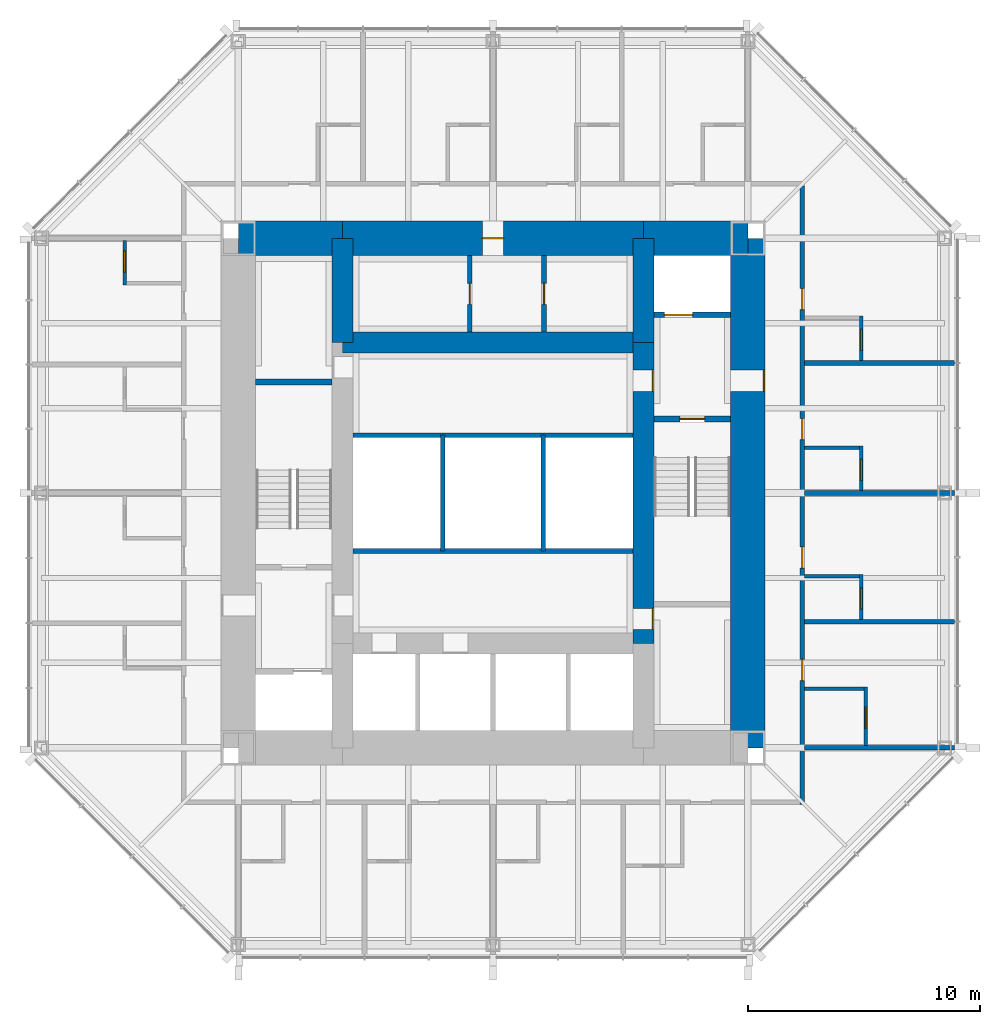
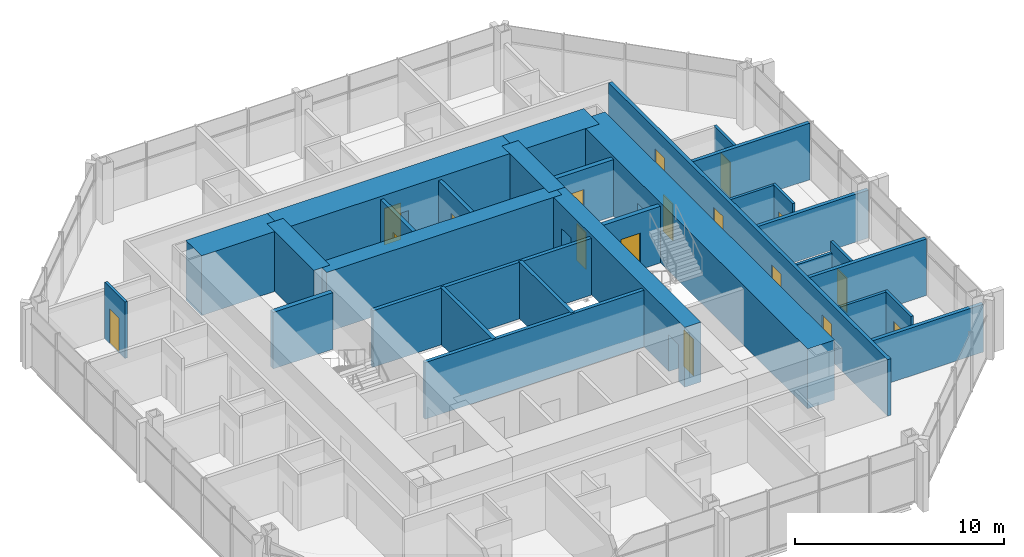
# One storey, part 9 of 12: 30 walls, 17 doors, 17 openings.
"""IFC4 building model written with IfcOpenShell, lengths in metres."""

from ifc_helpers import new_model, si_unit, direction, frame, frame_2d, origin, place, context, subcontext, project, spatial, rectangle, extrude, material, layer, layer_set, type_object, element, fill, save


model = new_model("IFC4")

# Units and contexts
model_context = context("Model", 3, precision=1e-05, world=origin(), true_north=direction((0.0, 1.0)))
body_context = subcontext(model_context, "Body", "Model", "MODEL_VIEW")
ifc_project = project(units=[si_unit("LENGTHUNIT", "METRE"), si_unit("AREAUNIT", "SQUARE_METRE"), si_unit("VOLUMEUNIT", "CUBIC_METRE"), si_unit("PLANEANGLEUNIT", "RADIAN"), si_unit("MASSUNIT", "GRAM", prefix="KILO")], contexts=[model_context])

# Site, building, storey
site_placement = place(None, origin())
site = spatial("IfcSite", under=ifc_project, at=site_placement, CompositionType="ELEMENT")
building_placement = place(site_placement, origin())
building = spatial("IfcBuilding", under=site, at=building_placement, Name="Trevanion Tower", CompositionType="ELEMENT")
storey_placement = place(building_placement, frame((0.0, 0.0, 190.699951171875)))
storey = spatial("IfcBuildingStorey", under=building, at=storey_placement, Name="L44", CompositionType="ELEMENT", Elevation=190.699951171875)

# Wall, opening, door
ifc_material_1 = material(Name="Concrete 10,000 psi", Category="concrete")
ifc_layer_1 = layer(ifc_material_1, 1.5)
ifc_layer_set_1 = layer_set([ifc_layer_1], Name="CW1 core wall 1500")
wall_type_1 = type_object("IfcWallType", Name="CW1 core wall 1500", PredefinedType="SHEAR", material=ifc_layer_set_1)
wall_1_placement = place(storey_placement, frame((11.0, -11.0, 0.0), z_axis=(0.0, 0.0, 1.0), x_axis=(0.0, 1.0, 0.0)))
wall_1 = element("IfcWall", 1, at=wall_1_placement, inside=storey, type_object=wall_type_1, Name="CW1 CE L44", PredefinedType="SHEAR", context=body_context, shape_type="SweptSolid", body=[
    extrude(rectangle(XDim=22.0, YDim=1.5, at=frame_2d((11.0, 0.0))), origin(), (0.0, 0.0, 1.0), 3.5),
])
opening_1_placement = place(wall_1_placement, frame((15.392578125, 0.0, 0.0)))
opening_1 = element("IfcOpeningElement", 2, at=opening_1_placement, cuts=wall_1, Name="Opening 44-001", PredefinedType="OPENING", context=body_context, shape_type="SweptSolid", body=[
    extrude(rectangle(XDim=0.9150390625, YDim=2.134033203125, at=frame_2d((0.45751953125, 1.06689453125))), frame((0.0, 0.760009765625, 0.0), z_axis=(0.0, -1.0, 0.0), x_axis=(1.0, 0.0, 0.0)), (0.0, 0.0, 1.0), 1.52001953125),
])
ifc_material_2 = material(Name="Hollow metal, fire rated", Category="steel")
door_type_1 = type_object("IfcDoorType", Name="D3 fire lift lobby door", OperationType="SINGLE_SWING_RIGHT", PredefinedType="DOOR", material=ifc_material_2)
door_1_placement = place(opening_1_placement, origin())
door_1 = element("IfcDoor", 3, at=door_1_placement, inside=storey, type_object=door_type_1, Name="Door 44-001", OperationType="SINGLE_SWING_RIGHT", OverallHeight=2.134033203125, OverallWidth=0.9150390625, PredefinedType="DOOR", context=body_context, shape_type="SweptSolid", body=[
    extrude(rectangle(XDim=0.9150390625, YDim=2.134033203125, at=frame_2d((0.45751953125, 1.06689453125))), frame((0.0, -0.6748046875, 0.0), z_axis=(0.0, -1.0, 0.0), x_axis=(1.0, 0.0, 0.0)), (0.0, 0.0, 1.0), 0.050048828125),
])
fill(opening_1, door_1)

# Wall
wall_2_placement = place(storey_placement, frame((11.0, 11.0, 0.0), z_axis=(0.0, 0.0, 1.0), x_axis=(-1.0, 0.0, 0.0)))
element("IfcWall", 4, at=wall_2_placement, inside=storey, type_object=wall_type_1, Name="CW1 CN1 L44", PredefinedType="SHEAR", context=body_context, shape_type="SweptSolid", body=[
    extrude(rectangle(XDim=4.5, YDim=1.5, at=frame_2d((2.25, 0.0))), origin(), (0.0, 0.0, 1.0), 3.5),
])

# Wall, opening, door
wall_3_placement = place(storey_placement, frame((6.5, 11.0, 0.0), z_axis=(0.0, 0.0, 1.0), x_axis=(-1.0, 0.0, 0.0)))
wall_3 = element("IfcWall", 5, at=wall_3_placement, inside=storey, type_object=wall_type_1, Name="CW1 CN2 L44", PredefinedType="SHEAR", context=body_context, shape_type="SweptSolid", body=[
    extrude(rectangle(XDim=13.0, YDim=1.5, at=frame_2d((6.5, 0.0))), origin(), (0.0, 0.0, 1.0), 3.5),
])
opening_2_placement = place(wall_3_placement, frame((6.04248046875, 0.0, 0.0)))
opening_2 = element("IfcOpeningElement", 6, at=opening_2_placement, cuts=wall_3, Name="Opening 44-013", PredefinedType="OPENING", context=body_context, shape_type="SweptSolid", body=[
    extrude(rectangle(XDim=0.9150390625, YDim=2.134033203125, at=frame_2d((0.45751953125, 1.06689453125))), frame((0.0, 0.760009765625, 0.0), z_axis=(0.0, -1.0, 0.0), x_axis=(1.0, 0.0, 0.0)), (0.0, 0.0, 1.0), 1.52001953125),
])
ifc_material_3 = material(Name="Hollow metal, fire rated", Category="steel")
door_type_2 = type_object("IfcDoorType", Name="D5 service room door", OperationType="SINGLE_SWING_RIGHT", PredefinedType="DOOR", material=ifc_material_3)
door_2_placement = place(opening_2_placement, origin())
door_2 = element("IfcDoor", 7, at=door_2_placement, inside=storey, type_object=door_type_2, Name="Door 44-013", OperationType="SINGLE_SWING_RIGHT", OverallHeight=2.134033203125, OverallWidth=0.9150390625, PredefinedType="DOOR", context=body_context, shape_type="SweptSolid", body=[
    extrude(rectangle(XDim=0.9150390625, YDim=2.134033203125, at=frame_2d((0.45751953125, 1.06689453125))), frame((0.0, 0.02490234375, 0.0), z_axis=(0.0, -1.0, 0.0), x_axis=(1.0, 0.0, 0.0)), (0.0, 0.0, 1.0), 0.050048828125),
])
fill(opening_2, door_2)

# Wall
wall_4_placement = place(storey_placement, frame((-6.5, 11.0, 0.0), z_axis=(0.0, 0.0, 1.0), x_axis=(-1.0, 0.0, 0.0)))
element("IfcWall", 8, at=wall_4_placement, inside=storey, type_object=wall_type_1, Name="CW1 CN3 L44", PredefinedType="SHEAR", context=body_context, shape_type="SweptSolid", body=[
    extrude(rectangle(XDim=4.5, YDim=1.5, at=frame_2d((2.25, 0.0))), origin(), (0.0, 0.0, 1.0), 3.5),
])

# Wall, openings, doors
ifc_material_4 = material(Name="Concrete 10,000 psi", Category="concrete")
ifc_layer_2 = layer(ifc_material_4, 0.89990234375)
ifc_layer_set_2 = layer_set([ifc_layer_2], Name="CW2 core wall 900")
wall_type_2 = type_object("IfcWallType", Name="CW2 core wall 900", PredefinedType="SHEAR", material=ifc_layer_set_2)
wall_5_placement = place(storey_placement, frame((6.5, -6.5, 0.0), z_axis=(0.0, 0.0, 1.0), x_axis=(0.0, 1.0, 0.0)))
wall_5 = element("IfcWall", 9, at=wall_5_placement, inside=storey, type_object=wall_type_2, Name="CW2 RE2 L44", PredefinedType="SHEAR", context=body_context, shape_type="SweptSolid", body=[
    extrude(rectangle(XDim=13.0, YDim=0.89990234375, at=frame_2d((6.5, 0.0))), origin(), (0.0, 0.0, 1.0), 3.5),
])
opening_3_placement = place(wall_5_placement, frame((10.892578125, 0.0, 0.0)))
opening_3 = element("IfcOpeningElement", 10, at=opening_3_placement, cuts=wall_5, Name="Opening 44-003", PredefinedType="OPENING", context=body_context, shape_type="SweptSolid", body=[
    extrude(rectangle(XDim=0.9150390625, YDim=2.134033203125, at=frame_2d((0.45751953125, 1.06689453125))), frame((0.0, 0.4599609375, 0.0), z_axis=(0.0, -1.0, 0.0), x_axis=(1.0, 0.0, 0.0)), (0.0, 0.0, 1.0), 0.919921875),
])
opening_4_placement = place(wall_5_placement, frame((0.610107421875, 0.0, 0.0)))
opening_4 = element("IfcOpeningElement", 11, at=opening_4_placement, cuts=wall_5, Name="Opening 44-009", PredefinedType="OPENING", context=body_context, shape_type="SweptSolid", body=[
    extrude(rectangle(XDim=0.9150390625, YDim=2.134033203125, at=frame_2d((0.45751953125, 1.06689453125))), frame((0.0, 0.4599609375, 0.0), z_axis=(0.0, -1.0, 0.0), x_axis=(1.0, 0.0, 0.0)), (0.0, 0.0, 1.0), 0.919921875),
])
door_3_placement = place(opening_3_placement, origin())
door_3 = element("IfcDoor", 12, at=door_3_placement, inside=storey, type_object=door_type_1, Name="Door 44-003", OperationType="SINGLE_SWING_RIGHT", OverallHeight=2.134033203125, OverallWidth=0.9150390625, PredefinedType="DOOR", context=body_context, shape_type="SweptSolid", body=[
    extrude(rectangle(XDim=0.9150390625, YDim=2.134033203125, at=frame_2d((0.45751953125, 1.06689453125))), frame((0.0, -0.375, 0.0), z_axis=(0.0, -1.0, 0.0), x_axis=(1.0, 0.0, 0.0)), (0.0, 0.0, 1.0), 0.050048828125),
])
fill(opening_3, door_3)
door_4_placement = place(opening_4_placement, origin())
door_4 = element("IfcDoor", 13, at=door_4_placement, inside=storey, type_object=door_type_2, Name="Door 44-009", OperationType="SINGLE_SWING_RIGHT", OverallHeight=2.134033203125, OverallWidth=0.9150390625, PredefinedType="DOOR", context=body_context, shape_type="SweptSolid", body=[
    extrude(rectangle(XDim=0.9150390625, YDim=2.134033203125, at=frame_2d((0.45751953125, 1.06689453125))), frame((0.0, -0.375, 0.0), z_axis=(0.0, -1.0, 0.0), x_axis=(1.0, 0.0, 0.0)), (0.0, 0.0, 1.0), 0.050048828125),
])
fill(opening_4, door_4)

# Walls
for number, where, z_axis, x_axis, name in (
    (14, (6.5, 6.5, 0.0), (0.0, 0.0, 1.0), (0.0, 1.0, 0.0), "CW2 RE3 L44"),
    (15, (-6.5, 11.0, 0.0), (0.0, 0.0, 1.0), (0.0, -1.0, 0.0), "CW2 RW1 L44"),
):
    element("IfcWall", number, at=place(storey_placement, frame(where, z_axis=z_axis, x_axis=x_axis)), inside=storey, type_object=wall_type_2, Name=name, PredefinedType="SHEAR", context=body_context, shape_type="SweptSolid", body=[
        extrude(rectangle(XDim=4.5, YDim=0.89990234375, at=frame_2d((2.25, 0.0))), origin(), (0.0, 0.0, 1.0), 3.5),
    ])
wall_6_placement = place(storey_placement, frame((6.5, 6.5, 0.0), z_axis=(0.0, 0.0, 1.0), x_axis=(-1.0, 0.0, 0.0)))
element("IfcWall", 16, at=wall_6_placement, inside=storey, type_object=wall_type_2, Name="CW2 RN L44", PredefinedType="SHEAR", context=body_context, shape_type="SweptSolid", body=[
    extrude(rectangle(XDim=13.0, YDim=0.89990234375, at=frame_2d((6.5, 0.0))), origin(), (0.0, 0.0, 1.0), 3.5),
])

# Wall, opening, door
ifc_material_5 = material(Name="Gypsum board on steel studs", Category="steel")
ifc_layer_3 = layer(ifc_material_5, 0.14990234375)
ifc_layer_set_3 = layer_set([ifc_layer_3], Name="PT1 partition 150")
wall_type_3 = type_object("IfcWallType", Name="PT1 partition 150", PredefinedType="PARTITIONING", material=ifc_layer_set_3)
wall_7_placement = place(storey_placement, frame((16.10009765625, -10.89990234375, 0.0), z_axis=(0.0, 0.0, 1.0), x_axis=(0.0, 1.0, 0.0)))
wall_7 = element("IfcWall", 17, at=wall_7_placement, inside=storey, type_object=wall_type_3, Name="PT1 L44 BA00", PredefinedType="PARTITIONING", context=body_context, shape_type="SweptSolid", body=[
    extrude(rectangle(XDim=2.52490234375, YDim=0.14990234375, at=frame_2d((1.262451171875, 0.0))), origin(), (0.0, 0.0, 1.0), 3.31005859375),
])
opening_5_placement = place(wall_7_placement, frame((0.742431640625, 0.0, 0.0)))
opening_5 = element("IfcOpeningElement", 18, at=opening_5_placement, cuts=wall_7, Name="Opening 44-016", PredefinedType="OPENING", context=body_context, shape_type="SweptSolid", body=[
    extrude(rectangle(XDim=0.9150390625, YDim=2.031982421875, at=frame_2d((0.45751953125, 1.01611328125))), frame((0.0, 0.0849609375, 0.0), z_axis=(0.0, -1.0, 0.0), x_axis=(1.0, 0.0, 0.0)), (0.0, 0.0, 1.0), 0.169921875),
])
ifc_material_6 = material(Name="Timber veneer", Category="wood")
door_type_3 = type_object("IfcDoorType", Name="D7 bathroom door", OperationType="SINGLE_SWING_LEFT", PredefinedType="DOOR", material=ifc_material_6)
door_5_placement = place(opening_5_placement, origin())
door_5 = element("IfcDoor", 19, at=door_5_placement, inside=storey, type_object=door_type_3, Name="Door 44-016", OperationType="SINGLE_SWING_LEFT", OverallHeight=2.031982421875, OverallWidth=0.9150390625, PredefinedType="DOOR", context=body_context, shape_type="SweptSolid", body=[
    extrude(rectangle(XDim=0.9150390625, YDim=2.031982421875, at=frame_2d((0.45751953125, 1.01611328125))), frame((0.0, 0.02490234375, 0.0), z_axis=(0.0, -1.0, 0.0), x_axis=(1.0, 0.0, 0.0)), (0.0, 0.0, 1.0), 0.050048828125),
])
fill(opening_5, door_5)

# Wall
wall_8_placement = place(storey_placement, frame((13.449951171875, -8.449951171875, 0.0), z_axis=(0.0, 0.0, 1.0), x_axis=(1.0, 0.0, 0.0)))
element("IfcWall", 20, at=wall_8_placement, inside=storey, type_object=wall_type_3, Name="PT1 L44 BB00", PredefinedType="PARTITIONING", context=body_context, shape_type="SweptSolid", body=[
    extrude(rectangle(XDim=2.574951171875, YDim=0.14990234375, at=frame_2d((1.28759765625, 0.0))), origin(), (0.0, 0.0, 1.0), 3.31005859375),
])

# Wall, opening, door
wall_9_placement = place(storey_placement, frame((15.89990234375, -5.448974609375, 0.0), z_axis=(0.0, 0.0, 1.0), x_axis=(0.0, 1.0, 0.0)))
wall_9 = element("IfcWall", 21, at=wall_9_placement, inside=storey, type_object=wall_type_3, Name="PT1 L44 BA01", PredefinedType="PARTITIONING", context=body_context, shape_type="SweptSolid", body=[
    extrude(rectangle(XDim=1.925048828125, YDim=0.14990234375, at=frame_2d((0.96240234375, 0.0))), origin(), (0.0, 0.0, 1.0), 3.31005859375),
])
opening_6_placement = place(wall_9_placement, frame((0.4423828125, 0.0, 0.0)))
opening_6 = element("IfcOpeningElement", 22, at=opening_6_placement, cuts=wall_9, Name="Opening 44-018", PredefinedType="OPENING", context=body_context, shape_type="SweptSolid", body=[
    extrude(rectangle(XDim=0.9150390625, YDim=2.031982421875, at=frame_2d((0.45751953125, 1.01611328125))), frame((0.0, 0.0849609375, 0.0), z_axis=(0.0, -1.0, 0.0), x_axis=(1.0, 0.0, 0.0)), (0.0, 0.0, 1.0), 0.169921875),
])
door_6_placement = place(opening_6_placement, origin())
door_6 = element("IfcDoor", 23, at=door_6_placement, inside=storey, type_object=door_type_3, Name="Door 44-018", OperationType="SINGLE_SWING_LEFT", OverallHeight=2.031982421875, OverallWidth=0.9150390625, PredefinedType="DOOR", context=body_context, shape_type="SweptSolid", body=[
    extrude(rectangle(XDim=0.9150390625, YDim=2.031982421875, at=frame_2d((0.45751953125, 1.01611328125))), frame((0.0, 0.02490234375, 0.0), z_axis=(0.0, -1.0, 0.0), x_axis=(1.0, 0.0, 0.0)), (0.0, 0.0, 1.0), 0.050048828125),
])
fill(opening_6, door_6)

# Wall
wall_10_placement = place(storey_placement, frame((13.449951171875, -3.59912109375, 0.0), z_axis=(0.0, 0.0, 1.0), x_axis=(1.0, 0.0, 0.0)))
element("IfcWall", 24, at=wall_10_placement, inside=storey, type_object=wall_type_3, Name="PT1 L44 BB01", PredefinedType="PARTITIONING", context=body_context, shape_type="SweptSolid", body=[
    extrude(rectangle(XDim=2.375, YDim=0.14990234375, at=frame_2d((1.1875, 0.0))), origin(), (0.0, 0.0, 1.0), 2.703125),
])

# Wall, opening, door
wall_11_placement = place(storey_placement, frame((15.89990234375, 0.10009765625, 0.0), z_axis=(0.0, 0.0, 1.0), x_axis=(0.0, 1.0, 0.0)))
wall_11 = element("IfcWall", 25, at=wall_11_placement, inside=storey, type_object=wall_type_3, Name="PT1 L44 BA02", PredefinedType="PARTITIONING", context=body_context, shape_type="SweptSolid", body=[
    extrude(rectangle(XDim=1.9248046875, YDim=0.14990234375, at=frame_2d((0.96240234375, 0.0))), origin(), (0.0, 0.0, 1.0), 3.31005859375),
])
opening_7_placement = place(wall_11_placement, frame((0.4423828125, 0.0, 0.0)))
opening_7 = element("IfcOpeningElement", 26, at=opening_7_placement, cuts=wall_11, Name="Opening 44-020", PredefinedType="OPENING", context=body_context, shape_type="SweptSolid", body=[
    extrude(rectangle(XDim=0.9150390625, YDim=2.031982421875, at=frame_2d((0.45751953125, 1.01611328125))), frame((0.0, 0.0849609375, 0.0), z_axis=(0.0, -1.0, 0.0), x_axis=(1.0, 0.0, 0.0)), (0.0, 0.0, 1.0), 0.169921875),
])
door_7_placement = place(opening_7_placement, origin())
door_7 = element("IfcDoor", 27, at=door_7_placement, inside=storey, type_object=door_type_3, Name="Door 44-020", OperationType="SINGLE_SWING_LEFT", OverallHeight=2.031982421875, OverallWidth=0.9150390625, PredefinedType="DOOR", context=body_context, shape_type="SweptSolid", body=[
    extrude(rectangle(XDim=0.9150390625, YDim=2.031982421875, at=frame_2d((0.45751953125, 1.01611328125))), frame((0.0, 0.02490234375, 0.0), z_axis=(0.0, -1.0, 0.0), x_axis=(1.0, 0.0, 0.0)), (0.0, 0.0, 1.0), 0.050048828125),
])
fill(opening_7, door_7)

# Wall
wall_12_placement = place(storey_placement, frame((13.449951171875, 1.949951171875, 0.0), z_axis=(0.0, 0.0, 1.0), x_axis=(1.0, 0.0, 0.0)))
element("IfcWall", 28, at=wall_12_placement, inside=storey, type_object=wall_type_3, Name="PT1 L44 BB02", PredefinedType="PARTITIONING", context=body_context, shape_type="SweptSolid", body=[
    extrude(rectangle(XDim=2.375, YDim=0.14990234375, at=frame_2d((1.1875, 0.0))), origin(), (0.0, 0.0, 1.0), 3.31005859375),
])

# Wall, opening, door
wall_13_placement = place(storey_placement, frame((15.89990234375, 5.714111328125, 0.0), z_axis=(0.0, 0.0, 1.0), x_axis=(0.0, 1.0, 0.0)))
wall_13 = element("IfcWall", 29, at=wall_13_placement, inside=storey, type_object=wall_type_3, Name="PT1 L44 BA03", PredefinedType="PARTITIONING", context=body_context, shape_type="SweptSolid", body=[
    extrude(rectangle(XDim=1.9248046875, YDim=0.14990234375, at=frame_2d((0.96240234375, 0.0))), origin(), (0.0, 0.0, 1.0), 3.31005859375),
])
opening_8_placement = place(wall_13_placement, frame((0.4423828125, 0.0, 0.0)))
opening_8 = element("IfcOpeningElement", 30, at=opening_8_placement, cuts=wall_13, Name="Opening 44-022", PredefinedType="OPENING", context=body_context, shape_type="SweptSolid", body=[
    extrude(rectangle(XDim=0.9150390625, YDim=2.031982421875, at=frame_2d((0.45751953125, 1.01611328125))), frame((0.0, 0.0849609375, 0.0), z_axis=(0.0, -1.0, 0.0), x_axis=(1.0, 0.0, 0.0)), (0.0, 0.0, 1.0), 0.169921875),
])
door_8_placement = place(opening_8_placement, origin())
door_8 = element("IfcDoor", 31, at=door_8_placement, inside=storey, type_object=door_type_3, Name="Door 44-022", OperationType="SINGLE_SWING_LEFT", OverallHeight=2.031982421875, OverallWidth=0.9150390625, PredefinedType="DOOR", context=body_context, shape_type="SweptSolid", body=[
    extrude(rectangle(XDim=0.9150390625, YDim=2.031982421875, at=frame_2d((0.45751953125, 1.01611328125))), frame((0.0, 0.02490234375, 0.0), z_axis=(0.0, -1.0, 0.0), x_axis=(1.0, 0.0, 0.0)), (0.0, 0.0, 1.0), 0.050048828125),
])
fill(opening_8, door_8)

wall_14_placement = place(storey_placement, frame((-15.89990234375, 10.89990234375, 0.0), z_axis=(0.0, 0.0, 1.0), x_axis=(0.0, -1.0, 0.0)))
wall_14 = element("IfcWall", 32, at=wall_14_placement, inside=storey, type_object=wall_type_3, Name="PT1 L44 BA20", PredefinedType="PARTITIONING", context=body_context, shape_type="SweptSolid", body=[
    extrude(rectangle(XDim=1.9248046875, YDim=0.14990234375, at=frame_2d((0.96240234375, 0.0))), origin(), (0.0, 0.0, 1.0), 3.31005859375),
])
opening_9_placement = place(wall_14_placement, frame((0.4423828125, 0.0, 0.0)))
opening_9 = element("IfcOpeningElement", 33, at=opening_9_placement, cuts=wall_14, Name="Opening 44-032", PredefinedType="OPENING", context=body_context, shape_type="SweptSolid", body=[
    extrude(rectangle(XDim=0.9150390625, YDim=2.031982421875, at=frame_2d((0.45751953125, 1.01611328125))), frame((0.0, 0.0849609375, 0.0), z_axis=(0.0, -1.0, 0.0), x_axis=(1.0, 0.0, 0.0)), (0.0, 0.0, 1.0), 0.169921875),
])
door_9_placement = place(opening_9_placement, origin())
door_9 = element("IfcDoor", 34, at=door_9_placement, inside=storey, type_object=door_type_3, Name="Door 44-032", OperationType="SINGLE_SWING_LEFT", OverallHeight=2.031982421875, OverallWidth=0.9150390625, PredefinedType="DOOR", context=body_context, shape_type="SweptSolid", body=[
    extrude(rectangle(XDim=0.9150390625, YDim=2.031982421875, at=frame_2d((0.45751953125, 1.01611328125))), frame((0.0, 0.02490234375, 0.0), z_axis=(0.0, -1.0, 0.0), x_axis=(1.0, 0.0, 0.0)), (0.0, 0.0, 1.0), 0.050048828125),
])
fill(opening_9, door_9)

# Walls
ifc_material_7 = material(Name="Concrete masonry, grouted", Category="masonry")
ifc_layer_4 = layer(ifc_material_7, 0.199951171875)
ifc_layer_set_4 = layer_set([ifc_layer_4], Name="PT2 partition 200 1 HR")
wall_type_4 = type_object("IfcWallType", Name="PT2 partition 200 1 HR", PredefinedType="PARTITIONING", material=ifc_layer_set_4)
for number, where, z_axis, x_axis, name in (
    (35, (-6.050048828125, 2.5, 0.0), (0.0, 0.0, 1.0), (1.0, 0.0, 0.0), "PT2 L44 CP1"),
    (36, (6.050048828125, -2.5, 0.0), (0.0, 0.0, 1.0), (-1.0, 0.0, 0.0), "PT2 L44 CP2"),
):
    element("IfcWall", number, at=place(storey_placement, frame(where, z_axis=z_axis, x_axis=x_axis)), inside=storey, type_object=wall_type_4, Name=name, PredefinedType="PARTITIONING", context=body_context, shape_type="SweptSolid", body=[
        extrude(rectangle(XDim=12.10009765625, YDim=0.199951171875, at=frame_2d((6.050048828125, 0.0))), origin(), (0.0, 0.0, 1.0), 3.31005859375),
    ])

# Wall, opening, door
wall_15_placement = place(storey_placement, frame((-1.0, 6.949951171875, 0.0), z_axis=(0.0, 0.0, 1.0), x_axis=(0.0, 1.0, 0.0)))
wall_15 = element("IfcWall", 37, at=wall_15_placement, inside=storey, type_object=wall_type_4, Name="PT2 L44 HKP1", PredefinedType="PARTITIONING", context=body_context, shape_type="SweptSolid", body=[
    extrude(rectangle(XDim=3.300048828125, YDim=0.199951171875, at=frame_2d((1.64990234375, 0.0))), origin(), (0.0, 0.0, 1.0), 3.31005859375),
])
opening_10_placement = place(wall_15_placement, frame((1.1923828125, 0.0, 0.0)))
opening_10 = element("IfcOpeningElement", 38, at=opening_10_placement, cuts=wall_15, Name="Opening 44-014", PredefinedType="OPENING", context=body_context, shape_type="SweptSolid", body=[
    extrude(rectangle(XDim=0.9150390625, YDim=2.134033203125, at=frame_2d((0.45751953125, 1.06689453125))), frame((0.0, 0.10986328125, 0.0), z_axis=(0.0, -1.0, 0.0), x_axis=(1.0, 0.0, 0.0)), (0.0, 0.0, 1.0), 0.219970703125),
])
door_10_placement = place(opening_10_placement, origin())
door_10 = element("IfcDoor", 39, at=door_10_placement, inside=storey, type_object=door_type_2, Name="Door 44-014", OperationType="SINGLE_SWING_RIGHT", OverallHeight=2.134033203125, OverallWidth=0.9150390625, PredefinedType="DOOR", context=body_context, shape_type="SweptSolid", body=[
    extrude(rectangle(XDim=0.9150390625, YDim=2.134033203125, at=frame_2d((0.45751953125, 1.06689453125))), frame((0.0, 0.02490234375, 0.0), z_axis=(0.0, -1.0, 0.0), x_axis=(1.0, 0.0, 0.0)), (0.0, 0.0, 1.0), 0.050048828125),
])
fill(opening_10, door_10)

wall_16_placement = place(storey_placement, frame((2.199951171875, 6.949951171875, 0.0), z_axis=(0.0, 0.0, 1.0), x_axis=(0.0, 1.0, 0.0)))
wall_16 = element("IfcWall", 40, at=wall_16_placement, inside=storey, type_object=wall_type_4, Name="PT2 L44 HKP2", PredefinedType="PARTITIONING", context=body_context, shape_type="SweptSolid", body=[
    extrude(rectangle(XDim=3.300048828125, YDim=0.199951171875, at=frame_2d((1.64990234375, 0.0))), origin(), (0.0, 0.0, 1.0), 3.31005859375),
])
opening_11_placement = place(wall_16_placement, frame((1.1923828125, 0.0, 0.0)))
opening_11 = element("IfcOpeningElement", 41, at=opening_11_placement, cuts=wall_16, Name="Opening 44-015", PredefinedType="OPENING", context=body_context, shape_type="SweptSolid", body=[
    extrude(rectangle(XDim=0.9150390625, YDim=2.134033203125, at=frame_2d((0.45751953125, 1.06689453125))), frame((0.0, 0.10986328125, 0.0), z_axis=(0.0, -1.0, 0.0), x_axis=(1.0, 0.0, 0.0)), (0.0, 0.0, 1.0), 0.219970703125),
])
door_11_placement = place(opening_11_placement, origin())
door_11 = element("IfcDoor", 42, at=door_11_placement, inside=storey, type_object=door_type_2, Name="Door 44-015", OperationType="SINGLE_SWING_RIGHT", OverallHeight=2.134033203125, OverallWidth=0.9150390625, PredefinedType="DOOR", context=body_context, shape_type="SweptSolid", body=[
    extrude(rectangle(XDim=0.9150390625, YDim=2.134033203125, at=frame_2d((0.45751953125, 1.06689453125))), frame((0.0, 0.02490234375, 0.0), z_axis=(0.0, -1.0, 0.0), x_axis=(1.0, 0.0, 0.0)), (0.0, 0.0, 1.0), 0.050048828125),
])
fill(opening_11, door_11)

# Wall, openings, doors
wall_17_placement = place(storey_placement, frame((13.35009765625, -13.449951171875, 0.0), z_axis=(0.0, 0.0, 1.0), x_axis=(0.0, 1.0, 0.0)))
wall_17 = element("IfcWall", 43, at=wall_17_placement, inside=storey, type_object=wall_type_4, Name="PT2 L44 HC0", PredefinedType="PARTITIONING", context=body_context, shape_type="SweptSolid", body=[
    extrude(rectangle(XDim=26.699951171875, YDim=0.199951171875, at=frame_2d((13.35009765625, 0.0))), origin(), (0.0, 0.0, 1.0), 3.31005859375),
])
opening_12_placement = place(wall_17_placement, frame((5.3525390625, 0.0, 0.0)))
opening_12 = element("IfcOpeningElement", 44, at=opening_12_placement, cuts=wall_17, Name="Opening 44-017", PredefinedType="OPENING", context=body_context, shape_type="SweptSolid", body=[
    extrude(rectangle(XDim=0.9150390625, YDim=2.134033203125, at=frame_2d((0.45751953125, 1.06689453125))), frame((0.0, 0.10986328125, 0.0), z_axis=(0.0, -1.0, 0.0), x_axis=(1.0, 0.0, 0.0)), (0.0, 0.0, 1.0), 0.219970703125),
])
opening_13_placement = place(wall_17_placement, frame((10.20361328125, 0.0, 0.0)))
opening_13 = element("IfcOpeningElement", 45, at=opening_13_placement, cuts=wall_17, Name="Opening 44-019", PredefinedType="OPENING", context=body_context, shape_type="SweptSolid", body=[
    extrude(rectangle(XDim=0.9150390625, YDim=2.134033203125, at=frame_2d((0.45751953125, 1.06689453125))), frame((0.0, 0.10986328125, 0.0), z_axis=(0.0, -1.0, 0.0), x_axis=(1.0, 0.0, 0.0)), (0.0, 0.0, 1.0), 0.219970703125),
])
opening_14_placement = place(wall_17_placement, frame((15.75244140625, 0.0, 0.0)))
opening_14 = element("IfcOpeningElement", 46, at=opening_14_placement, cuts=wall_17, Name="Opening 44-021", PredefinedType="OPENING", context=body_context, shape_type="SweptSolid", body=[
    extrude(rectangle(XDim=0.9150390625, YDim=2.134033203125, at=frame_2d((0.45751953125, 1.06689453125))), frame((0.0, 0.10986328125, 0.0), z_axis=(0.0, -1.0, 0.0), x_axis=(1.0, 0.0, 0.0)), (0.0, 0.0, 1.0), 0.219970703125),
])
opening_15_placement = place(wall_17_placement, frame((21.366455078125, 0.0, 0.0)))
opening_15 = element("IfcOpeningElement", 47, at=opening_15_placement, cuts=wall_17, Name="Opening 44-023", PredefinedType="OPENING", context=body_context, shape_type="SweptSolid", body=[
    extrude(rectangle(XDim=0.9150390625, YDim=2.134033203125, at=frame_2d((0.45751953125, 1.06689453125))), frame((0.0, 0.10986328125, 0.0), z_axis=(0.0, -1.0, 0.0), x_axis=(1.0, 0.0, 0.0)), (0.0, 0.0, 1.0), 0.219970703125),
])
ifc_material_8 = material(Name="Timber veneer, fire rated", Category="wood")
door_type_4 = type_object("IfcDoorType", Name="D6 guest room entrance door", OperationType="SINGLE_SWING_LEFT", PredefinedType="DOOR", material=ifc_material_8)
door_12_placement = place(opening_12_placement, origin())
door_12 = element("IfcDoor", 48, at=door_12_placement, inside=storey, type_object=door_type_4, Name="Door 44-017", OperationType="SINGLE_SWING_LEFT", OverallHeight=2.134033203125, OverallWidth=0.9150390625, PredefinedType="DOOR", context=body_context, shape_type="SweptSolid", body=[
    extrude(rectangle(XDim=0.9150390625, YDim=2.134033203125, at=frame_2d((0.45751953125, 1.06689453125))), frame((0.0, 0.02490234375, 0.0), z_axis=(0.0, -1.0, 0.0), x_axis=(1.0, 0.0, 0.0)), (0.0, 0.0, 1.0), 0.050048828125),
])
fill(opening_12, door_12)
door_13_placement = place(opening_13_placement, origin())
door_13 = element("IfcDoor", 49, at=door_13_placement, inside=storey, type_object=door_type_4, Name="Door 44-019", OperationType="SINGLE_SWING_LEFT", OverallHeight=2.134033203125, OverallWidth=0.9150390625, PredefinedType="DOOR", context=body_context, shape_type="SweptSolid", body=[
    extrude(rectangle(XDim=0.9150390625, YDim=2.134033203125, at=frame_2d((0.45751953125, 1.06689453125))), frame((0.0, 0.02490234375, 0.0), z_axis=(0.0, -1.0, 0.0), x_axis=(1.0, 0.0, 0.0)), (0.0, 0.0, 1.0), 0.050048828125),
])
fill(opening_13, door_13)
door_14_placement = place(opening_14_placement, origin())
door_14 = element("IfcDoor", 50, at=door_14_placement, inside=storey, type_object=door_type_4, Name="Door 44-021", OperationType="SINGLE_SWING_LEFT", OverallHeight=2.134033203125, OverallWidth=0.9150390625, PredefinedType="DOOR", context=body_context, shape_type="SweptSolid", body=[
    extrude(rectangle(XDim=0.9150390625, YDim=2.134033203125, at=frame_2d((0.45751953125, 1.06689453125))), frame((0.0, 0.02490234375, 0.0), z_axis=(0.0, -1.0, 0.0), x_axis=(1.0, 0.0, 0.0)), (0.0, 0.0, 1.0), 0.050048828125),
])
fill(opening_14, door_14)
door_15_placement = place(opening_15_placement, origin())
door_15 = element("IfcDoor", 51, at=door_15_placement, inside=storey, type_object=door_type_4, Name="Door 44-023", OperationType="SINGLE_SWING_LEFT", OverallHeight=2.134033203125, OverallWidth=0.9150390625, PredefinedType="DOOR", context=body_context, shape_type="SweptSolid", body=[
    extrude(rectangle(XDim=0.9150390625, YDim=2.134033203125, at=frame_2d((0.45751953125, 1.06689453125))), frame((0.0, 0.02490234375, 0.0), z_axis=(0.0, -1.0, 0.0), x_axis=(1.0, 0.0, 0.0)), (0.0, 0.0, 1.0), 0.050048828125),
])
fill(opening_15, door_15)

# Walls
wall_18_placement = place(storey_placement, frame((13.449951171875, -11.0, 0.0), z_axis=(0.0, 0.0, 1.0), x_axis=(1.0, 0.0, 0.0)))
element("IfcWall", 52, at=wall_18_placement, inside=storey, type_object=wall_type_4, Name="PT2 L44 HD00", PredefinedType="PARTITIONING", context=body_context, shape_type="SweptSolid", body=[
    extrude(rectangle(XDim=6.465087890625, YDim=0.199951171875, at=frame_2d((3.232421875, 0.0))), origin(), (0.0, 0.0, 1.0), 2.802001953125),
])
wall_19_placement = place(storey_placement, frame((13.449951171875, -5.549072265625, 0.0), z_axis=(0.0, 0.0, 1.0), x_axis=(1.0, 0.0, 0.0)))
element("IfcWall", 53, at=wall_19_placement, inside=storey, type_object=wall_type_4, Name="PT2 L44 HD01", PredefinedType="PARTITIONING", context=body_context, shape_type="SweptSolid", body=[
    extrude(rectangle(XDim=6.465087890625, YDim=0.199951171875, at=frame_2d((3.232421875, 0.0))), origin(), (0.0, 0.0, 1.0), 3.31005859375),
])
wall_20_placement = place(storey_placement, frame((13.449951171875, 0.0, 0.0), z_axis=(0.0, 0.0, 1.0), x_axis=(1.0, 0.0, 0.0)))
element("IfcWall", 54, at=wall_20_placement, inside=storey, type_object=wall_type_4, Name="PT2 L44 HD02", PredefinedType="PARTITIONING", context=body_context, shape_type="SweptSolid", body=[
    extrude(rectangle(XDim=6.465087890625, YDim=0.199951171875, at=frame_2d((3.232421875, 0.0))), origin(), (0.0, 0.0, 1.0), 2.802001953125),
])
wall_21_placement = place(storey_placement, frame((13.449951171875, 5.614013671875, 0.0), z_axis=(0.0, 0.0, 1.0), x_axis=(1.0, 0.0, 0.0)))
element("IfcWall", 55, at=wall_21_placement, inside=storey, type_object=wall_type_4, Name="PT2 L44 HD03", PredefinedType="PARTITIONING", context=body_context, shape_type="SweptSolid", body=[
    extrude(rectangle(XDim=6.465087890625, YDim=0.199951171875, at=frame_2d((3.232421875, 0.0))), origin(), (0.0, 0.0, 1.0), 3.31005859375),
])
ifc_material_9 = material(Name="Concrete masonry, grouted", Category="masonry")
ifc_layer_5 = layer(ifc_material_9, 0.199951171875)
ifc_layer_set_5 = layer_set([ifc_layer_5], Name="PT2 partition 200 2 HR")
wall_type_5 = type_object("IfcWallType", Name="PT2 partition 200 2 HR", PredefinedType="PARTITIONING", material=ifc_layer_set_5)
for number, where, z_axis, x_axis, name in (
    (56, (-2.166748046875, -2.5, 0.0), (0.0, 0.0, 1.0), (0.0, 1.0, 0.0), "PT2 L44 MS0"),
    (57, (2.166748046875, -2.5, 0.0), (0.0, 0.0, 1.0), (0.0, 1.0, 0.0), "PT2 L44 MS1"),
):
    element("IfcWall", number, at=place(storey_placement, frame(where, z_axis=z_axis, x_axis=x_axis)), inside=storey, type_object=wall_type_5, Name=name, PredefinedType="PARTITIONING", context=body_context, shape_type="SweptSolid", body=[
        extrude(rectangle(XDim=5.0, YDim=0.199951171875, at=frame_2d((2.5, 0.0))), origin(), (0.0, 0.0, 1.0), 3.31005859375),
    ])

# Wall, opening, door
ifc_material_10 = material(Name="Concrete masonry, grouted, two-hour", Category="masonry")
ifc_layer_6 = layer(ifc_material_10, 0.25)
ifc_layer_set_6 = layer_set([ifc_layer_6], Name="PT3 partition 250 2 HR")
wall_type_6 = type_object("IfcWallType", Name="PT3 partition 250 2 HR", PredefinedType="PARTITIONING", material=ifc_layer_set_6)
wall_22_placement = place(storey_placement, frame((6.949951171875, 7.699951171875, 0.0), z_axis=(0.0, 0.0, 1.0), x_axis=(1.0, 0.0, 0.0)))
wall_22 = element("IfcWall", 58, at=wall_22_placement, inside=storey, type_object=wall_type_6, Name="PT3 L44 EP3", PredefinedType="PARTITIONING", context=body_context, shape_type="SweptSolid", body=[
    extrude(rectangle(XDim=3.300048828125, YDim=0.25, at=frame_2d((1.64990234375, 0.0))), origin(), (0.0, 0.0, 1.0), 3.31005859375),
])
opening_16_placement = place(wall_22_placement, frame((0.449951171875, 0.0, 0.0)))
opening_16 = element("IfcOpeningElement", 59, at=opening_16_placement, cuts=wall_22, Name="Opening 44-007", PredefinedType="OPENING", context=body_context, shape_type="SweptSolid", body=[
    extrude(rectangle(XDim=1.218994140625, YDim=2.134033203125, at=frame_2d((0.609375, 1.06689453125))), frame((0.0, 0.135009765625, 0.0), z_axis=(0.0, -1.0, 0.0), x_axis=(1.0, 0.0, 0.0)), (0.0, 0.0, 1.0), 0.27001953125),
])
ifc_material_11 = material(Name="Stainless steel, fire rated", Category="steel")
door_type_5 = type_object("IfcDoorType", Name="LD2 fire service lift landing door", OperationType="SLIDING_TO_LEFT", PredefinedType="DOOR", material=ifc_material_11)
door_16_placement = place(opening_16_placement, origin())
door_16 = element("IfcDoor", 60, at=door_16_placement, inside=storey, type_object=door_type_5, Name="Door 44-007", OperationType="SLIDING_TO_LEFT", OverallHeight=2.134033203125, OverallWidth=1.218994140625, PredefinedType="DOOR", context=body_context, shape_type="SweptSolid", body=[
    extrude(rectangle(XDim=1.218994140625, YDim=2.134033203125, at=frame_2d((0.609375, 1.06689453125))), frame((0.0, 0.02490234375, 0.0), z_axis=(0.0, -1.0, 0.0), x_axis=(1.0, 0.0, 0.0)), (0.0, 0.0, 1.0), 0.050048828125),
])
fill(opening_16, door_16)

# Wall
ifc_material_12 = material(Name="Reinforced masonry, fully grouted", Category="masonry")
ifc_layer_7 = layer(ifc_material_12, 0.25)
ifc_layer_set_7 = layer_set([ifc_layer_7], Name="SW1 stair shaft wall 250")
wall_type_7 = type_object("IfcWallType", Name="SW1 stair shaft wall 250", PredefinedType="SOLIDWALL", material=ifc_layer_set_7)
wall_23_placement = place(storey_placement, frame((-6.949951171875, 4.800048828125, 0.0), z_axis=(0.0, 0.0, 1.0), x_axis=(-1.0, 0.0, 0.0)))
element("IfcWall", 61, at=wall_23_placement, inside=storey, type_object=wall_type_7, Name="SW1 L44 WP1", PredefinedType="SOLIDWALL", context=body_context, shape_type="SweptSolid", body=[
    extrude(rectangle(XDim=3.300048828125, YDim=0.25, at=frame_2d((1.64990234375, 0.0))), origin(), (0.0, 0.0, 1.0), 3.31005859375),
])

# Wall, opening, door
wall_24_placement = place(storey_placement, frame((6.949951171875, 3.199951171875, 0.0), z_axis=(0.0, 0.0, 1.0), x_axis=(1.0, 0.0, 0.0)))
wall_24 = element("IfcWall", 62, at=wall_24_placement, inside=storey, type_object=wall_type_7, Name="SW1 L44 EP2", PredefinedType="SOLIDWALL", context=body_context, shape_type="SweptSolid", body=[
    extrude(rectangle(XDim=3.300048828125, YDim=0.25, at=frame_2d((1.64990234375, 0.0))), origin(), (0.0, 0.0, 1.0), 3.31005859375),
])
opening_17_placement = place(wall_24_placement, frame((1.116455078125, 0.0, 0.0)))
opening_17 = element("IfcOpeningElement", 63, at=opening_17_placement, cuts=wall_24, Name="Opening 44-005", PredefinedType="OPENING", context=body_context, shape_type="SweptSolid", body=[
    extrude(rectangle(XDim=1.06689453125, YDim=2.134033203125, at=frame_2d((0.533447265625, 1.06689453125))), frame((0.0, 0.135009765625, 0.0), z_axis=(0.0, -1.0, 0.0), x_axis=(1.0, 0.0, 0.0)), (0.0, 0.0, 1.0), 0.27001953125),
])
ifc_material_13 = material(Name="Hollow metal, fire rated", Category="steel")
door_type_6 = type_object("IfcDoorType", Name="D2 exit stair door", OperationType="SINGLE_SWING_LEFT", PredefinedType="DOOR", material=ifc_material_13)
door_17_placement = place(opening_17_placement, origin())
door_17 = element("IfcDoor", 64, at=door_17_placement, inside=storey, type_object=door_type_6, Name="Door 44-005", OperationType="SINGLE_SWING_LEFT", OverallHeight=2.134033203125, OverallWidth=1.06689453125, PredefinedType="DOOR", context=body_context, shape_type="SweptSolid", body=[
    extrude(rectangle(XDim=1.06689453125, YDim=2.134033203125, at=frame_2d((0.533447265625, 1.06689453125))), frame((0.0, 0.02490234375, 0.0), z_axis=(0.0, -1.0, 0.0), x_axis=(1.0, 0.0, 0.0)), (0.0, 0.0, 1.0), 0.050048828125),
])
fill(opening_17, door_17)

save(model, "model.ifc")
